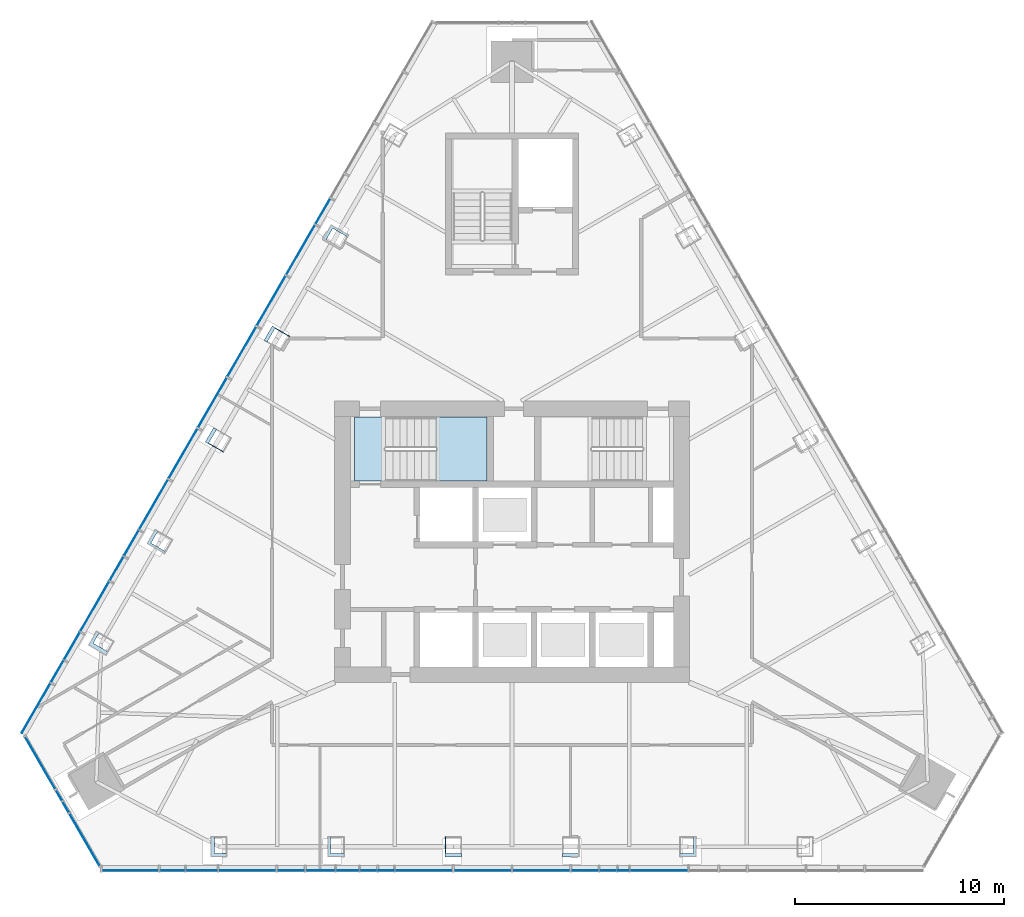
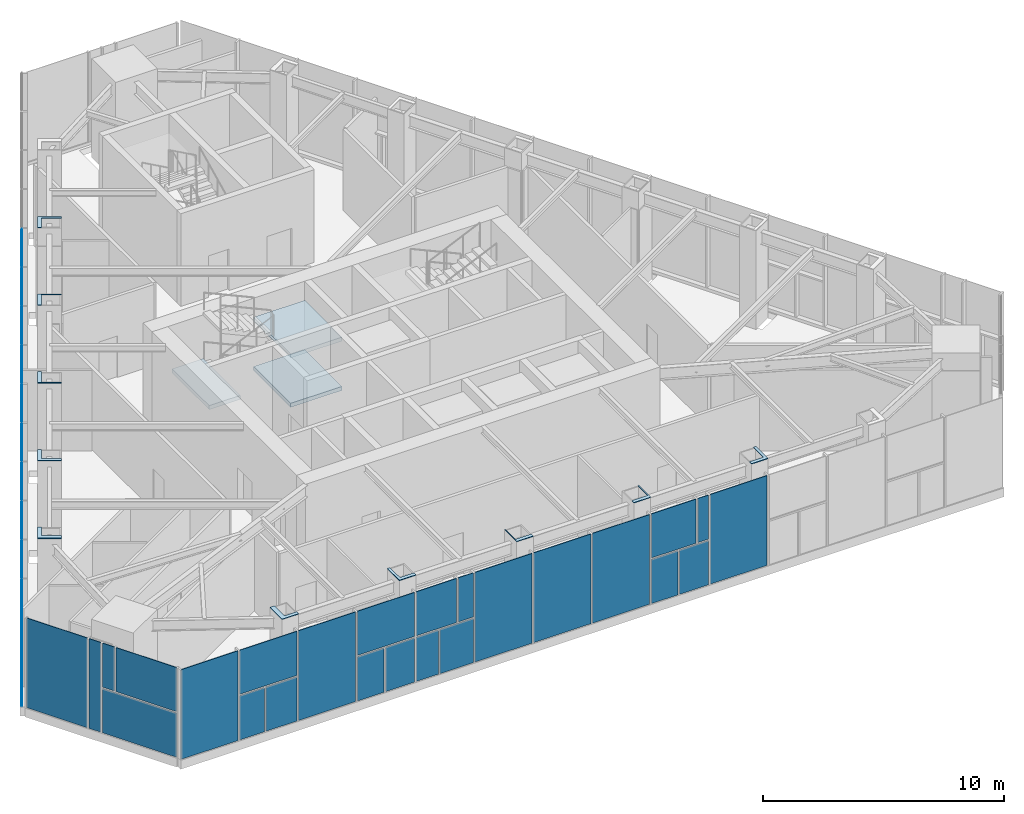
# One storey, part 8 of 17: 50 plates, 3 slabs, 4 elements without a shape of their own.
"""IFC4 building model written with IfcOpenShell, lengths in metres."""

from ifc_helpers import new_model, si_unit, direction, frame, origin, place, context, subcontext, project, spatial, polyline, outline, extrude, material, layer, layer_set, type_object, element, aggregate, save


model = new_model("IFC4")

# Units and contexts
model_context = context("Model", 3, precision=1e-05, world=origin(), true_north=direction((0.0, 1.0)))
body_context = subcontext(model_context, "Body", "Model", "MODEL_VIEW")
ifc_project = project(units=[si_unit("LENGTHUNIT", "METRE"), si_unit("AREAUNIT", "SQUARE_METRE"), si_unit("VOLUMEUNIT", "CUBIC_METRE"), si_unit("PLANEANGLEUNIT", "RADIAN"), si_unit("MASSUNIT", "GRAM", prefix="KILO")], contexts=[model_context])

# Site, building, storey
site_placement = place(None, origin())
site = spatial("IfcSite", under=ifc_project, at=site_placement, CompositionType="ELEMENT")
building_placement = place(site_placement, origin())
building = spatial("IfcBuilding", under=site, at=building_placement, Name="Firuza Gate Tower and Library", CompositionType="ELEMENT")
storey_placement = place(building_placement, frame((0.0, 0.0, 326.60009765625)))
storey = spatial("IfcBuildingStorey", under=building, at=storey_placement, Name="L80", CompositionType="ELEMENT", Elevation=326.60009765625)

# Plates
ifc_material_1 = material(Name="Steel S355", Category="steel")
ifc_layer_1 = layer(ifc_material_1, 0.030029296875)
ifc_layer_set_1 = layer_set([ifc_layer_1], Name="Column infill plate 30 Steel S355")
plate_type_1 = type_object("IfcPlateType", Name="Column infill plate 30 Steel S355", PredefinedType="SHEET", material=ifc_layer_set_1)
placement_1 = place(storey_placement, frame((0.0, 0.0, 5.0)))
element("IfcPlate", 1, at=placement_1, inside=storey, type_object=plate_type_1, Name="Infill plate L80:S1", PredefinedType="SHEET", context=body_context, shape_type="SweptSolid", body=[
    extrude(outline(polyline([(61.333251953125, 59.873046875), (61.333251953125, 60.04248046875), (60.742919921875, 60.04248046875), (60.742919921875, 60.873046875), (60.533447265625, 60.873046875), (60.533447265625, 59.873046875), (61.333251953125, 59.873046875)])), origin(), (0.0, 0.0, 1.0), 0.02978515625),
])
element("IfcPlate", 2, at=placement_1, inside=storey, type_object=plate_type_1, Name="Infill plate L80:S2", PredefinedType="SHEET", context=body_context, shape_type="SweptSolid", body=[
    extrude(outline(polyline([(66.9599609375, 59.873046875), (66.9599609375, 60.04248046875), (66.28564453125, 60.04248046875), (66.28564453125, 60.873046875), (66.159912109375, 60.873046875), (66.159912109375, 59.873046875), (66.9599609375, 59.873046875)])), origin(), (0.0, 0.0, 1.0), 0.02978515625),
])
element("IfcPlate", 3, at=placement_1, inside=storey, type_object=plate_type_1, Name="Infill plate L80:S3", PredefinedType="SHEET", context=body_context, shape_type="SweptSolid", body=[
    extrude(outline(polyline([(72.586669921875, 59.873046875), (72.586669921875, 60.04248046875), (71.82861328125, 60.04248046875), (71.82861328125, 60.873046875), (71.78662109375, 60.873046875), (71.78662109375, 59.873046875), (72.586669921875, 59.873046875)])), origin(), (0.0, 0.0, 1.0), 0.02978515625),
])
element("IfcPlate", 4, at=placement_1, inside=storey, type_object=plate_type_1, Name="Infill plate L80:S4", PredefinedType="SHEET", context=body_context, shape_type="SweptSolid", body=[
    extrude(outline(polyline([(78.21337890625, 60.873046875), (78.17138671875, 60.873046875), (78.17138671875, 60.04248046875), (77.413330078125, 60.04248046875), (77.413330078125, 59.873046875), (78.21337890625, 59.873046875), (78.21337890625, 60.873046875)])), origin(), (0.0, 0.0, 1.0), 0.02978515625),
])
element("IfcPlate", 5, at=placement_1, inside=storey, type_object=plate_type_1, Name="Infill plate L80:S5", PredefinedType="SHEET", context=body_context, shape_type="SweptSolid", body=[
    extrude(outline(polyline([(83.840087890625, 60.873046875), (83.71435546875, 60.873046875), (83.71435546875, 60.04248046875), (83.0400390625, 60.04248046875), (83.0400390625, 59.873046875), (83.840087890625, 59.873046875), (83.840087890625, 60.873046875)])), origin(), (0.0, 0.0, 1.0), 0.02978515625),
])
element("IfcPlate", 6, at=placement_1, inside=storey, type_object=plate_type_1, Name="Infill plate L80:W2", PredefinedType="SHEET", context=body_context, shape_type="SweptSolid", body=[
    extrude(outline(polyline([(65.919677734375, 89.5263671875), (66.06640625, 89.441650390625), (66.403564453125, 90.025634765625), (67.122802734375, 89.610107421875), (67.185791015625, 89.718994140625), (66.31982421875, 90.218994140625), (65.919677734375, 89.5263671875)])), origin(), (0.0, 0.0, 1.0), 0.02978515625),
])
element("IfcPlate", 7, at=placement_1, inside=storey, type_object=plate_type_1, Name="Infill plate L80:W3", PredefinedType="SHEET", context=body_context, shape_type="SweptSolid", body=[
    extrude(outline(polyline([(63.1064453125, 84.653564453125), (63.253173828125, 84.56884765625), (63.632080078125, 85.225341796875), (64.3515625, 84.81005859375), (64.372314453125, 84.84619140625), (63.50634765625, 85.34619140625), (63.1064453125, 84.653564453125)])), origin(), (0.0, 0.0, 1.0), 0.02978515625),
])
element("IfcPlate", 8, at=placement_1, inside=storey, type_object=plate_type_1, Name="Infill plate L80:W4", PredefinedType="SHEET", context=body_context, shape_type="SweptSolid", body=[
    extrude(outline(polyline([(61.1591796875, 79.280517578125), (61.18017578125, 79.31689453125), (60.460693359375, 79.732177734375), (60.83984375, 80.388671875), (60.693115234375, 80.473388671875), (60.29296875, 79.780517578125), (61.1591796875, 79.280517578125)])), origin(), (0.0, 0.0, 1.0), 0.02978515625),
])
element("IfcPlate", 9, at=placement_1, inside=storey, type_object=plate_type_1, Name="Infill plate L80:W5", PredefinedType="SHEET", context=body_context, shape_type="SweptSolid", body=[
    extrude(outline(polyline([(58.345703125, 74.40771484375), (58.40869140625, 74.5166015625), (57.689208984375, 74.931884765625), (58.0263671875, 75.515869140625), (57.879638671875, 75.6005859375), (57.479736328125, 74.90771484375), (58.345703125, 74.40771484375)])), origin(), (0.0, 0.0, 1.0), 0.02978515625),
])
element("IfcPlate", 10, at=placement_1, inside=storey, type_object=plate_type_1, Name="Infill plate L80:W6", PredefinedType="SHEET", context=body_context, shape_type="SweptSolid", body=[
    extrude(outline(polyline([(55.532470703125, 69.534912109375), (55.63720703125, 69.71630859375), (54.917724609375, 70.131591796875), (55.213134765625, 70.64306640625), (55.06640625, 70.727783203125), (54.66650390625, 70.034912109375), (55.532470703125, 69.534912109375)])), origin(), (0.0, 0.0, 1.0), 0.02978515625),
])

# Curtain wall, plates
ifc_material_2 = material(Name="Aluminium 6063-T6", Category="aluminium")
ifc_layer_2 = layer(ifc_material_2, 0.14990234375)
ifc_layer_set_2 = layer_set([ifc_layer_2], Name="Corner curtain wall, chamfers")
curtain_wall_type_1 = type_object("IfcCurtainWallType", Name="Corner curtain wall, chamfers", PredefinedType="NOTDEFINED", material=ifc_layer_set_2)
placement_2 = place(storey_placement, origin())
curtain_wall_1 = element("IfcCurtainWall", 11, at=placement_2, inside=storey, type_object=curtain_wall_type_1, Name="CW4 L80 SW corner", PredefinedType="NOTDEFINED")
ifc_material_3 = material(Name="Fritted glass", Category="glass")
ifc_layer_3 = layer(ifc_material_3, 0.030029296875)
ifc_layer_set_3 = layer_set([ifc_layer_3], Name="Fritted glass unit, corners")
plate_type_2 = type_object("IfcPlateType", Name="Fritted glass unit, corners", PredefinedType="CURTAIN_PANEL", material=ifc_layer_set_3)
plate_11_placement = place(storey_placement, frame((53.123779296875, 63.073974609375, 0.14990234375), z_axis=(-0.865992911964, -0.500056273262, 0.0), x_axis=(0.500056273262, -0.865992911964, 0.0)))
plate_11 = element("IfcPlate", 12, at=plate_11_placement, type_object=plate_type_2, Name="Glass unit", PredefinedType="CURTAIN_PANEL", context=body_context, shape_type="SweptSolid", body=[
    extrude(outline(polyline([(0.0, 0.0), (0.5697600942322595, 0.0), (0.5697600942322595, 4.550048828125001), (0.0, 4.550048828125001), (0.0, 0.0)])), origin(), (0.0, 0.0, -1.0), 0.030029296875),
])
plate_12_placement = place(storey_placement, frame((53.44873046875, 62.51123046875, 0.14990234375), z_axis=(-0.866016723041, -0.500015035186, 0.0), x_axis=(0.500015035186, -0.866016723041, 0.0)))
plate_12 = element("IfcPlate", 13, at=plate_12_placement, type_object=plate_type_2, Name="Glass unit", PredefinedType="CURTAIN_PANEL", context=body_context, shape_type="SweptSolid", body=[
    extrude(outline(polyline([(0.0, 0.0), (3.5633694106530625, 0.0), (3.5633694106530625, 2.235107421875), (0.0, 2.235107421875), (0.0, 0.0)])), origin(), (0.0, 0.0, -1.0), 0.030029296875),
])
plate_13_placement = place(storey_placement, frame((53.44873046875, 62.51123046875, 2.46484375), z_axis=(-0.866100000774, -0.49987077196, 0.0), x_axis=(0.49987077196, -0.866100000774, 0.0)))
plate_13 = element("IfcPlate", 14, at=plate_13_placement, type_object=plate_type_2, Name="Glass unit", PredefinedType="CURTAIN_PANEL", context=body_context, shape_type="SweptSolid", body=[
    extrude(outline(polyline([(0.0, 0.0), (0.5699715313578215, 0.0), (0.5699715313578215, 2.235107421875), (0.0, 2.235107421875), (0.0, 0.0)])), origin(), (0.0, 0.0, -1.0), 0.030029296875),
])

ifc_material_4 = material(Name="Aluminium 6063-T6", Category="aluminium")
ifc_layer_4 = layer(ifc_material_4, 0.14990234375)
ifc_layer_set_4 = layer_set([ifc_layer_4], Name="Unitised curtain wall, residences")
curtain_wall_type_2 = type_object("IfcCurtainWallType", Name="Unitised curtain wall, residences", PredefinedType="NOTDEFINED", material=ifc_layer_set_4)
curtain_wall_2 = element("IfcCurtainWall", 15, at=placement_2, inside=storey, type_object=curtain_wall_type_2, Name="CW3 L80 S face", PredefinedType="NOTDEFINED")
ifc_material_5 = material(Name="Fritted glass", Category="glass")
ifc_layer_5 = layer(ifc_material_5, 0.030029296875)
ifc_layer_set_5 = layer_set([ifc_layer_5], Name="Fritted glass unit, residences")
plate_type_3 = type_object("IfcPlateType", Name="Fritted glass unit, residences", PredefinedType="CURTAIN_PANEL", material=ifc_layer_set_5)
plate_14_placement = place(storey_placement, frame((59.38037109375, 59.213134765625, 0.14990234375), z_axis=(0.0, -1.0, 0.0), x_axis=(1.0, 0.0, 0.0)))
plate_14 = element("IfcPlate", 16, at=plate_14_placement, type_object=plate_type_3, Name="Glass unit", PredefinedType="CURTAIN_PANEL", context=body_context, shape_type="SweptSolid", body=[
    extrude(outline(polyline([(0.0, 0.0), (1.48193359375, 0.0), (1.48193359375, 2.235107421875), (0.0, 2.235107421875), (0.0, 0.0)])), origin(), (0.0, 0.0, -1.0), 0.030029296875),
])
plate_15_placement = place(storey_placement, frame((65.124267578125, 59.213134765625, 0.14990234375), z_axis=(0.0, -1.0, 0.0), x_axis=(1.0, 0.0, 0.0)))
plate_15 = element("IfcPlate", 17, at=plate_15_placement, type_object=plate_type_3, Name="Glass unit", PredefinedType="CURTAIN_PANEL", context=body_context, shape_type="SweptSolid", body=[
    extrude(outline(polyline([(0.0, 0.0), (1.377197265625, 0.0), (1.377197265625, 2.235107421875), (0.0, 2.235107421875), (0.0, 0.0)])), origin(), (0.0, 0.0, -1.0), 0.030029296875),
])
plate_16_placement = place(storey_placement, frame((66.58154296875, 59.213134765625, 0.14990234375), z_axis=(0.0, -1.0, 0.0), x_axis=(1.0, 0.0, 0.0)))
plate_16 = element("IfcPlate", 18, at=plate_16_placement, type_object=plate_type_3, Name="Glass unit", PredefinedType="CURTAIN_PANEL", context=body_context, shape_type="SweptSolid", body=[
    extrude(outline(polyline([(0.0, 0.0), (1.062255859375, 0.0), (1.062255859375, 2.235107421875), (0.0, 2.235107421875), (0.0, 0.0)])), origin(), (0.0, 0.0, -1.0), 0.030029296875),
])
plate_17_placement = place(storey_placement, frame((68.6044921875, 59.213134765625, 2.46484375), z_axis=(0.0, -1.0, 0.0), x_axis=(1.0, 0.0, 0.0)))
plate_17 = element("IfcPlate", 19, at=plate_17_placement, type_object=plate_type_3, Name="Glass unit", PredefinedType="CURTAIN_PANEL", context=body_context, shape_type="SweptSolid", body=[
    extrude(outline(polyline([(0.0, 0.0), (0.716552734375, 0.0), (0.716552734375, 2.235107421875), (0.0, 2.235107421875), (0.0, 0.0)])), origin(), (0.0, 0.0, -1.0), 0.030029296875),
])
plate_18_placement = place(storey_placement, frame((77.859619140625, 59.213134765625, 0.14990234375), z_axis=(0.0, -1.0, 0.0), x_axis=(1.0, 0.0, 0.0)))
plate_18 = element("IfcPlate", 20, at=plate_18_placement, type_object=plate_type_3, Name="Glass unit", PredefinedType="CURTAIN_PANEL", context=body_context, shape_type="SweptSolid", body=[
    extrude(outline(polyline([(0.0, 0.0), (1.27197265625, 0.0), (1.27197265625, 2.235107421875), (0.0, 2.235107421875), (0.0, 0.0)])), origin(), (0.0, 0.0, -1.0), 0.030029296875),
])
plate_19_placement = place(storey_placement, frame((80.092529296875, 59.213134765625, 2.46484375), z_axis=(0.0, -1.0, 0.0), x_axis=(1.0, 0.0, 0.0)))
plate_19 = element("IfcPlate", 21, at=plate_19_placement, type_object=plate_type_3, Name="Glass unit", PredefinedType="CURTAIN_PANEL", context=body_context, shape_type="SweptSolid", body=[
    extrude(outline(polyline([(0.0, 0.0), (0.506591796875, 0.0), (0.506591796875, 2.235107421875), (0.0, 2.235107421875), (0.0, 0.0)])), origin(), (0.0, 0.0, -1.0), 0.030029296875),
])

curtain_wall_3 = element("IfcCurtainWall", 22, at=placement_2, inside=storey, type_object=curtain_wall_type_2, Name="CW3 L80 W face", PredefinedType="NOTDEFINED")
plate_20_placement = place(storey_placement, frame((66.26611328125, 91.446044921875, 0.14990234375), z_axis=(-0.865975970311, 0.500085611514, 0.0), x_axis=(-0.500085611514, -0.865975970311, 0.0)))
plate_20 = element("IfcPlate", 23, at=plate_20_placement, type_object=plate_type_3, Name="Glass unit", PredefinedType="CURTAIN_PANEL", context=body_context, shape_type="SweptSolid", body=[
    extrude(outline(polyline([(0.0, 0.0), (1.3772055969364978, 0.0), (1.3772055969364978, 2.235107421875), (0.0, 2.235107421875), (0.0, 0.0)])), origin(), (0.0, 0.0, -1.0), 0.030029296875),
])
plate_21_placement = place(storey_placement, frame((57.078857421875, 75.533447265625, 0.14990234375), z_axis=(-0.866052736899, 0.499952654668, 0.0), x_axis=(-0.499952654668, -0.866052736899, 0.0)))
plate_21 = element("IfcPlate", 24, at=plate_21_placement, type_object=plate_type_3, Name="Glass unit", PredefinedType="CURTAIN_PANEL", context=body_context, shape_type="SweptSolid", body=[
    extrude(outline(polyline([(0.0, 0.0), (1.3770835219521138, 0.0), (1.3770835219521138, 2.235107421875), (0.0, 2.235107421875), (0.0, 0.0)])), origin(), (0.0, 0.0, -1.0), 0.030029296875),
])
plate_22_placement = place(storey_placement, frame((54.25927734375, 70.64990234375, 0.14990234375), z_axis=(-0.86603470313, 0.499983892715, 0.0), x_axis=(-0.499983892715, -0.86603470313, 0.0)))
plate_22 = element("IfcPlate", 25, at=plate_22_placement, type_object=plate_type_3, Name="Glass unit", PredefinedType="CURTAIN_PANEL", context=body_context, shape_type="SweptSolid", body=[
    extrude(outline(polyline([(0.0, 0.0), (1.4819813351427495, 0.0), (1.4819813351427495, 2.235107421875), (0.0, 2.235107421875), (0.0, 0.0)])), origin(), (0.0, 0.0, -1.0), 0.030029296875),
])

# Plate
ifc_material_6 = material(Name="Glazed ceramic tile")
ifc_layer_6 = layer(ifc_material_6, 0.030029296875)
ifc_layer_set_6 = layer_set([ifc_layer_6], Name="Opaque ceramic panel, corners")
plate_type_4 = type_object("IfcPlateType", Name="Opaque ceramic panel, corners", PredefinedType="CURTAIN_PANEL", material=ifc_layer_set_6)
plate_23_placement = place(storey_placement, frame((51.626953125, 65.666259765625, 0.14990234375), z_axis=(-0.866001369261, -0.500041626706, 0.0), x_axis=(0.500041626706, -0.866001369261, 0.0)))
plate_23 = element("IfcPlate", 26, at=plate_23_placement, type_object=plate_type_4, Name="Opaque ceramic panel", PredefinedType="CURTAIN_PANEL", context=body_context, shape_type="SweptSolid", body=[
    extrude(outline(polyline([(0.0, 0.0), (2.9133316739486435, 0.0), (2.9133316739486435, 4.550048828125001), (0.0, 4.550048828125001), (0.0, 0.0)])), origin(), (0.0, 0.0, -1.0), 0.030029296875),
])

plate_24_placement = place(storey_placement, frame((53.773681640625, 61.9482421875, 2.46484375), z_axis=(-0.866001369261, -0.500041626706, 0.0), x_axis=(0.500041626706, -0.866001369261, 0.0)))
plate_24 = element("IfcPlate", 27, at=plate_24_placement, type_object=plate_type_4, Name="Opaque ceramic panel", PredefinedType="CURTAIN_PANEL", context=body_context, shape_type="SweptSolid", body=[
    extrude(outline(polyline([(0.0, 0.0), (2.9133316739486435, 0.0), (2.9133316739486435, 2.235107421875), (0.0, 2.235107421875), (0.0, 0.0)])), origin(), (0.0, 0.0, -1.0), 0.030029296875),
])

aggregate(curtain_wall_1, [plate_23, plate_11, plate_12, plate_13, plate_24])

ifc_material_7 = material(Name="Glazed ceramic tile")
ifc_layer_7 = layer(ifc_material_7, 0.030029296875)
ifc_layer_set_7 = layer_set([ifc_layer_7], Name="Opaque ceramic panel, residences")
plate_type_5 = type_object("IfcPlateType", Name="Opaque ceramic panel, residences", PredefinedType="CURTAIN_PANEL", material=ifc_layer_set_7)
plate_25_placement = place(storey_placement, frame((55.303466796875, 59.213134765625, 0.14990234375), z_axis=(0.0, -1.0, 0.0), x_axis=(1.0, 0.0, 0.0)))
plate_25 = element("IfcPlate", 28, at=plate_25_placement, type_object=plate_type_5, Name="Opaque ceramic panel", PredefinedType="CURTAIN_PANEL", context=body_context, shape_type="SweptSolid", body=[
    extrude(outline(polyline([(0.0, 0.0), (2.739501953125, 0.0), (2.739501953125, 4.550048828125), (0.0, 4.550048828125), (0.0, 0.0)])), origin(), (0.0, 0.0, -1.0), 0.030029296875),
])

plate_26_placement = place(storey_placement, frame((58.122802734375, 59.213134765625, 0.14990234375), z_axis=(0.0, -1.0, 0.0), x_axis=(1.0, 0.0, 0.0)))
plate_26 = element("IfcPlate", 29, at=plate_26_placement, type_object=plate_type_5, Name="Opaque ceramic panel", PredefinedType="CURTAIN_PANEL", context=body_context, shape_type="SweptSolid", body=[
    extrude(outline(polyline([(0.0, 0.0), (1.177490234375, 0.0), (1.177490234375, 2.235107421875), (0.0, 2.235107421875), (0.0, 0.0)])), origin(), (0.0, 0.0, -1.0), 0.030029296875),
])

plate_27_placement = place(storey_placement, frame((58.122802734375, 59.213134765625, 2.46484375), z_axis=(0.0, -1.0, 0.0), x_axis=(1.0, 0.0, 0.0)))
plate_27 = element("IfcPlate", 30, at=plate_27_placement, type_object=plate_type_5, Name="Opaque ceramic panel", PredefinedType="CURTAIN_PANEL", context=body_context, shape_type="SweptSolid", body=[
    extrude(outline(polyline([(0.0, 0.0), (2.739501953125, 0.0), (2.739501953125, 2.235107421875), (0.0, 2.235107421875), (0.0, 0.0)])), origin(), (0.0, 0.0, -1.0), 0.030029296875),
])

plate_28_placement = place(storey_placement, frame((60.9423828125, 59.213134765625, 0.14990234375), z_axis=(0.0, -1.0, 0.0), x_axis=(1.0, 0.0, 0.0)))
plate_28 = element("IfcPlate", 31, at=plate_28_placement, type_object=plate_type_5, Name="Opaque ceramic panel", PredefinedType="CURTAIN_PANEL", context=body_context, shape_type="SweptSolid", body=[
    extrude(outline(polyline([(0.0, 0.0), (2.739501953125, 0.0), (2.739501953125, 4.550048828125), (0.0, 4.550048828125), (0.0, 0.0)])), origin(), (0.0, 0.0, -1.0), 0.030029296875),
])

plate_29_placement = place(storey_placement, frame((63.761962890625, 59.213134765625, 0.14990234375), z_axis=(0.0, -1.0, 0.0), x_axis=(1.0, 0.0, 0.0)))
plate_29 = element("IfcPlate", 32, at=plate_29_placement, type_object=plate_type_5, Name="Opaque ceramic panel", PredefinedType="CURTAIN_PANEL", context=body_context, shape_type="SweptSolid", body=[
    extrude(outline(polyline([(0.0, 0.0), (1.2822265625, 0.0), (1.2822265625, 2.235107421875), (0.0, 2.235107421875), (0.0, 0.0)])), origin(), (0.0, 0.0, -1.0), 0.030029296875),
])

plate_30_placement = place(storey_placement, frame((63.761962890625, 59.213134765625, 2.46484375), z_axis=(0.0, -1.0, 0.0), x_axis=(1.0, 0.0, 0.0)))
plate_30 = element("IfcPlate", 33, at=plate_30_placement, type_object=plate_type_5, Name="Opaque ceramic panel", PredefinedType="CURTAIN_PANEL", context=body_context, shape_type="SweptSolid", body=[
    extrude(outline(polyline([(0.0, 0.0), (2.739501953125, 0.0), (2.739501953125, 2.235107421875), (0.0, 2.235107421875), (0.0, 0.0)])), origin(), (0.0, 0.0, -1.0), 0.030029296875),
])

plate_31_placement = place(storey_placement, frame((67.7236328125, 59.213134765625, 0.14990234375), z_axis=(0.0, -1.0, 0.0), x_axis=(1.0, 0.0, 0.0)))
plate_31 = element("IfcPlate", 34, at=plate_31_placement, type_object=plate_type_5, Name="Opaque ceramic panel", PredefinedType="CURTAIN_PANEL", context=body_context, shape_type="SweptSolid", body=[
    extrude(outline(polyline([(0.0, 0.0), (1.597412109375, 0.0), (1.597412109375, 2.235107421875), (0.0, 2.235107421875), (0.0, 0.0)])), origin(), (0.0, 0.0, -1.0), 0.030029296875),
])

plate_32_placement = place(storey_placement, frame((66.58154296875, 59.213134765625, 2.46484375), z_axis=(0.0, -1.0, 0.0), x_axis=(1.0, 0.0, 0.0)))
plate_32 = element("IfcPlate", 35, at=plate_32_placement, type_object=plate_type_5, Name="Opaque ceramic panel", PredefinedType="CURTAIN_PANEL", context=body_context, shape_type="SweptSolid", body=[
    extrude(outline(polyline([(0.0, 0.0), (1.94287109375, 0.0), (1.94287109375, 2.235107421875), (0.0, 2.235107421875), (0.0, 0.0)])), origin(), (0.0, 0.0, -1.0), 0.030029296875),
])

plate_33_placement = place(storey_placement, frame((69.40087890625, 59.213134765625, 0.14990234375), z_axis=(0.0, -1.0, 0.0), x_axis=(1.0, 0.0, 0.0)))
plate_33 = element("IfcPlate", 36, at=plate_33_placement, type_object=plate_type_5, Name="Opaque ceramic panel", PredefinedType="CURTAIN_PANEL", context=body_context, shape_type="SweptSolid", body=[
    extrude(outline(polyline([(0.0, 0.0), (2.739501953125, 0.0), (2.739501953125, 4.550048828125), (0.0, 4.550048828125), (0.0, 0.0)])), origin(), (0.0, 0.0, -1.0), 0.030029296875),
])

plate_34_placement = place(storey_placement, frame((72.220458984375, 59.213134765625, 0.14990234375), z_axis=(0.0, -1.0, 0.0), x_axis=(1.0, 0.0, 0.0)))
plate_34 = element("IfcPlate", 37, at=plate_34_placement, type_object=plate_type_5, Name="Opaque ceramic panel", PredefinedType="CURTAIN_PANEL", context=body_context, shape_type="SweptSolid", body=[
    extrude(outline(polyline([(0.0, 0.0), (2.739501953125, 0.0), (2.739501953125, 4.550048828125), (0.0, 4.550048828125), (0.0, 0.0)])), origin(), (0.0, 0.0, -1.0), 0.030029296875),
])

plate_35_placement = place(storey_placement, frame((75.0400390625, 59.213134765625, 0.14990234375), z_axis=(0.0, -1.0, 0.0), x_axis=(1.0, 0.0, 0.0)))
plate_35 = element("IfcPlate", 38, at=plate_35_placement, type_object=plate_type_5, Name="Opaque ceramic panel", PredefinedType="CURTAIN_PANEL", context=body_context, shape_type="SweptSolid", body=[
    extrude(outline(polyline([(0.0, 0.0), (2.739501953125, 0.0), (2.739501953125, 4.550048828125), (0.0, 4.550048828125), (0.0, 0.0)])), origin(), (0.0, 0.0, -1.0), 0.030029296875),
])

plate_36_placement = place(storey_placement, frame((79.211669921875, 59.213134765625, 0.14990234375), z_axis=(0.0, -1.0, 0.0), x_axis=(1.0, 0.0, 0.0)))
plate_36 = element("IfcPlate", 39, at=plate_36_placement, type_object=plate_type_5, Name="Opaque ceramic panel", PredefinedType="CURTAIN_PANEL", context=body_context, shape_type="SweptSolid", body=[
    extrude(outline(polyline([(0.0, 0.0), (1.387451171875, 0.0), (1.387451171875, 2.235107421875), (0.0, 2.235107421875), (0.0, 0.0)])), origin(), (0.0, 0.0, -1.0), 0.030029296875),
])

plate_37_placement = place(storey_placement, frame((77.859619140625, 59.213134765625, 2.46484375), z_axis=(0.0, -1.0, 0.0), x_axis=(1.0, 0.0, 0.0)))
plate_37 = element("IfcPlate", 40, at=plate_37_placement, type_object=plate_type_5, Name="Opaque ceramic panel", PredefinedType="CURTAIN_PANEL", context=body_context, shape_type="SweptSolid", body=[
    extrude(outline(polyline([(0.0, 0.0), (2.15283203125, 0.0), (2.15283203125, 2.235107421875), (0.0, 2.235107421875), (0.0, 0.0)])), origin(), (0.0, 0.0, -1.0), 0.030029296875),
])

plate_38_placement = place(storey_placement, frame((80.678955078125, 59.213134765625, 0.14990234375), z_axis=(0.0, -1.0, 0.0), x_axis=(1.0, 0.0, 0.0)))
plate_38 = element("IfcPlate", 41, at=plate_38_placement, type_object=plate_type_5, Name="Opaque ceramic panel", PredefinedType="CURTAIN_PANEL", context=body_context, shape_type="SweptSolid", body=[
    extrude(outline(polyline([(0.0, 0.0), (2.739501953125, 0.0), (2.739501953125, 4.550048828125), (0.0, 4.550048828125), (0.0, 0.0)])), origin(), (0.0, 0.0, -1.0), 0.030029296875),
])

aggregate(curtain_wall_2, [plate_25, plate_26, plate_14, plate_27, plate_28, plate_29, plate_15, plate_30, plate_16, plate_31, plate_32, plate_17, plate_33, plate_34, plate_35, plate_18, plate_36, plate_37, plate_19, plate_38])

plate_39_placement = place(storey_placement, frame((65.537353515625, 90.18408203125, 0.14990234375), z_axis=(-0.866052025982, 0.499953886166, 0.0), x_axis=(-0.499953886166, -0.866052025982, 0.0)))
plate_39 = element("IfcPlate", 42, at=plate_39_placement, type_object=plate_type_5, Name="Opaque ceramic panel", PredefinedType="CURTAIN_PANEL", context=body_context, shape_type="SweptSolid", body=[
    extrude(outline(polyline([(0.0, 0.0), (2.739510471163151, 0.0), (2.739510471163151, 4.550048828125), (0.0, 4.550048828125), (0.0, 0.0)])), origin(), (0.0, 0.0, -1.0), 0.030029296875),
])

plate_40_placement = place(storey_placement, frame((64.127685546875, 87.742431640625, 0.14990234375), z_axis=(-0.866013438122, 0.500020724563, 0.0), x_axis=(-0.500020724563, -0.866013438122, 0.0)))
plate_40 = element("IfcPlate", 43, at=plate_40_placement, type_object=plate_type_5, Name="Opaque ceramic panel", PredefinedType="CURTAIN_PANEL", context=body_context, shape_type="SweptSolid", body=[
    extrude(outline(polyline([(0.0, 0.0), (2.739632538376557, 0.0), (2.739632538376557, 4.550048828125001), (0.0, 4.550048828125001), (0.0, 0.0)])), origin(), (0.0, 0.0, -1.0), 0.030029296875),
])

plate_41_placement = place(storey_placement, frame((62.718017578125, 85.300537109375, 0.14990234375), z_axis=(-0.866013438122, 0.500020724563, 0.0), x_axis=(-0.500020724563, -0.866013438122, 0.0)))
plate_41 = element("IfcPlate", 44, at=plate_41_placement, type_object=plate_type_5, Name="Opaque ceramic panel", PredefinedType="CURTAIN_PANEL", context=body_context, shape_type="SweptSolid", body=[
    extrude(outline(polyline([(0.0, 0.0), (2.739632538376557, 0.0), (2.739632538376557, 4.550048828125001), (0.0, 4.550048828125001), (0.0, 0.0)])), origin(), (0.0, 0.0, -1.0), 0.030029296875),
])

plate_42_placement = place(storey_placement, frame((61.30810546875, 82.85888671875, 0.14990234375), z_axis=(-0.866052025982, 0.499953886166, 0.0), x_axis=(-0.499953886166, -0.866052025982, 0.0)))
plate_42 = element("IfcPlate", 45, at=plate_42_placement, type_object=plate_type_5, Name="Opaque ceramic panel", PredefinedType="CURTAIN_PANEL", context=body_context, shape_type="SweptSolid", body=[
    extrude(outline(polyline([(0.0, 0.0), (2.739510471163151, 0.0), (2.739510471163151, 4.550048828125), (0.0, 4.550048828125), (0.0, 0.0)])), origin(), (0.0, 0.0, -1.0), 0.030029296875),
])

plate_43_placement = place(storey_placement, frame((59.8984375, 80.4169921875, 0.14990234375), z_axis=(-0.866013438122, 0.500020724563, 0.0), x_axis=(-0.500020724563, -0.866013438122, 0.0)))
plate_43 = element("IfcPlate", 46, at=plate_43_placement, type_object=plate_type_5, Name="Opaque ceramic panel", PredefinedType="CURTAIN_PANEL", context=body_context, shape_type="SweptSolid", body=[
    extrude(outline(polyline([(0.0, 0.0), (2.739632538376557, 0.0), (2.739632538376557, 4.550048828125001), (0.0, 4.550048828125001), (0.0, 0.0)])), origin(), (0.0, 0.0, -1.0), 0.030029296875),
])

plate_44_placement = place(storey_placement, frame((58.488525390625, 77.975341796875, 0.14990234375), z_axis=(-0.866052025982, 0.499953886166, 0.0), x_axis=(-0.499953886166, -0.866052025982, 0.0)))
plate_44 = element("IfcPlate", 47, at=plate_44_placement, type_object=plate_type_5, Name="Opaque ceramic panel", PredefinedType="CURTAIN_PANEL", context=body_context, shape_type="SweptSolid", body=[
    extrude(outline(polyline([(0.0, 0.0), (2.739510471163151, 0.0), (2.739510471163151, 4.550048828125), (0.0, 4.550048828125), (0.0, 0.0)])), origin(), (0.0, 0.0, -1.0), 0.030029296875),
])

plate_45_placement = place(storey_placement, frame((56.350341796875, 74.271484375, 0.14990234375), z_axis=(-0.8660556056, 0.499947685273, 0.0), x_axis=(-0.499947685273, -0.8660556056, 0.0)))
plate_45 = element("IfcPlate", 48, at=plate_45_placement, type_object=plate_type_5, Name="Opaque ceramic panel", PredefinedType="CURTAIN_PANEL", context=body_context, shape_type="SweptSolid", body=[
    extrude(outline(polyline([(0.0, 0.0), (1.2823607352047453, 0.0), (1.2823607352047453, 2.235107421875), (0.0, 2.235107421875), (0.0, 0.0)])), origin(), (0.0, 0.0, -1.0), 0.030029296875),
])

plate_46_placement = place(storey_placement, frame((57.078857421875, 75.533447265625, 2.46484375), z_axis=(-0.866052025982, 0.499953886166, 0.0), x_axis=(-0.499953886166, -0.866052025982, 0.0)))
plate_46 = element("IfcPlate", 49, at=plate_46_placement, type_object=plate_type_5, Name="Opaque ceramic panel", PredefinedType="CURTAIN_PANEL", context=body_context, shape_type="SweptSolid", body=[
    extrude(outline(polyline([(0.0, 0.0), (2.739510471163151, 0.0), (2.739510471163151, 2.235107421875), (0.0, 2.235107421875), (0.0, 0.0)])), origin(), (0.0, 0.0, -1.0), 0.030029296875),
])

plate_47_placement = place(storey_placement, frame((55.669189453125, 73.091796875, 0.14990234375), z_axis=(-0.866013438122, 0.500020724563, 0.0), x_axis=(-0.500020724563, -0.866013438122, 0.0)))
plate_47 = element("IfcPlate", 50, at=plate_47_placement, type_object=plate_type_5, Name="Opaque ceramic panel", PredefinedType="CURTAIN_PANEL", context=body_context, shape_type="SweptSolid", body=[
    extrude(outline(polyline([(0.0, 0.0), (2.739632538376557, 0.0), (2.739632538376557, 4.550048828125001), (0.0, 4.550048828125001), (0.0, 0.0)])), origin(), (0.0, 0.0, -1.0), 0.030029296875),
])

plate_48_placement = place(storey_placement, frame((53.478271484375, 69.297119140625, 0.14990234375), z_axis=(-0.866078557025, 0.499907924584, 0.0), x_axis=(-0.499907924584, -0.866078557025, 0.0)))
plate_48 = element("IfcPlate", 51, at=plate_48_placement, type_object=plate_type_5, Name="Opaque ceramic panel", PredefinedType="CURTAIN_PANEL", context=body_context, shape_type="SweptSolid", body=[
    extrude(outline(polyline([(0.0, 0.0), (1.1774629245274688, 0.0), (1.1774629245274688, 2.235107421875), (0.0, 2.235107421875), (0.0, 0.0)])), origin(), (0.0, 0.0, -1.0), 0.030029296875),
])

plate_49_placement = place(storey_placement, frame((54.25927734375, 70.64990234375, 2.46484375), z_axis=(-0.866052025982, 0.499953886166, 0.0), x_axis=(-0.499953886166, -0.866052025982, 0.0)))
plate_49 = element("IfcPlate", 52, at=plate_49_placement, type_object=plate_type_5, Name="Opaque ceramic panel", PredefinedType="CURTAIN_PANEL", context=body_context, shape_type="SweptSolid", body=[
    extrude(outline(polyline([(0.0, 0.0), (2.739510471163151, 0.0), (2.739510471163151, 2.235107421875), (0.0, 2.235107421875), (0.0, 0.0)])), origin(), (0.0, 0.0, -1.0), 0.030029296875),
])

plate_50_placement = place(storey_placement, frame((52.849609375, 68.208251953125, 0.14990234375), z_axis=(-0.866013438122, 0.500020724563, 0.0), x_axis=(-0.500020724563, -0.866013438122, 0.0)))
plate_50 = element("IfcPlate", 53, at=plate_50_placement, type_object=plate_type_5, Name="Opaque ceramic panel", PredefinedType="CURTAIN_PANEL", context=body_context, shape_type="SweptSolid", body=[
    extrude(outline(polyline([(0.0, 0.0), (2.739632538376557, 0.0), (2.739632538376557, 4.550048828125001), (0.0, 4.550048828125001), (0.0, 0.0)])), origin(), (0.0, 0.0, -1.0), 0.030029296875),
])

aggregate(curtain_wall_3, [plate_20, plate_39, plate_40, plate_41, plate_42, plate_43, plate_44, plate_21, plate_45, plate_46, plate_47, plate_22, plate_48, plate_49, plate_50])

# Stair, slabs
ifc_material_8 = material(Name="Concrete C35/45", Category="concrete")
stair_type = type_object("IfcStairType", Name="Exit stair ST2", PredefinedType="HALF_TURN_STAIR", material=ifc_material_8)
stair = element("IfcStair", 54, at=placement_2, inside=storey, type_object=stair_type, Name="L80 Stair ST1", PredefinedType="HALF_TURN_STAIR")
ifc_material_9 = material(Name="Concrete C35/45", Category="concrete")
ifc_layer_8 = layer(ifc_material_9, 0.199951171875)
ifc_layer_set_8 = layer_set([ifc_layer_8], Name="Stair landing 200")
slab_type = type_object("IfcSlabType", Name="Stair landing 200", PredefinedType="LANDING", material=ifc_layer_set_8)
slab_1_placement = place(storey_placement, frame((0.0, 0.0, 1.0498046875)))
slab_1 = element("IfcSlab", 55, at=slab_1_placement, type_object=slab_type, Name="ST1 landing 1", PredefinedType="LANDING", context=body_context, shape_type="SweptSolid", body=[
    extrude(outline(polyline([(71.35498046875, 77.89990234375), (73.81005859375, 77.89990234375), (73.81005859375, 80.97998046875), (71.35498046875, 80.97998046875), (71.35498046875, 77.89990234375)])), origin(), (0.0, 0.0, 1.0), 0.2001953125),
])
slab_2_placement = place(storey_placement, frame((0.0, 0.0, 2.2998046875)))
slab_2 = element("IfcSlab", 56, at=slab_2_placement, type_object=slab_type, Name="ST1 landing 2", PredefinedType="LANDING", context=body_context, shape_type="SweptSolid", body=[
    extrude(outline(polyline([(67.449951171875, 77.89990234375), (68.93994140625, 77.89990234375), (68.93994140625, 80.97998046875), (67.449951171875, 80.97998046875), (67.449951171875, 77.89990234375)])), origin(), (0.0, 0.0, 1.0), 0.2001953125),
])
slab_3_placement = place(storey_placement, frame((0.0, 0.0, 3.5498046875)))
slab_3 = element("IfcSlab", 57, at=slab_3_placement, type_object=slab_type, Name="ST1 landing 3", PredefinedType="LANDING", context=body_context, shape_type="SweptSolid", body=[
    extrude(outline(polyline([(71.35498046875, 77.89990234375), (73.81005859375, 77.89990234375), (73.81005859375, 80.97998046875), (71.35498046875, 80.97998046875), (71.35498046875, 77.89990234375)])), origin(), (0.0, 0.0, 1.0), 0.2001953125),
])
aggregate(stair, [slab_1, slab_2, slab_3])

save(model, "model.ifc")
